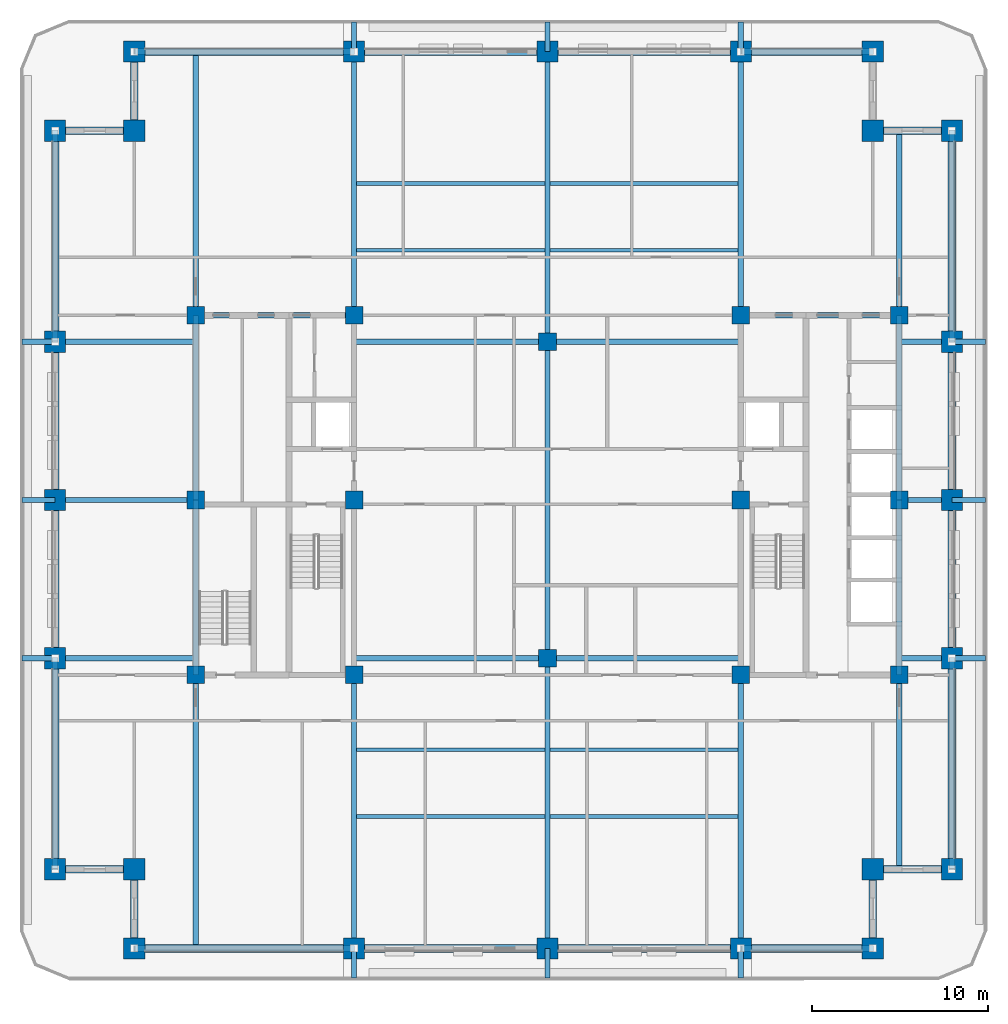
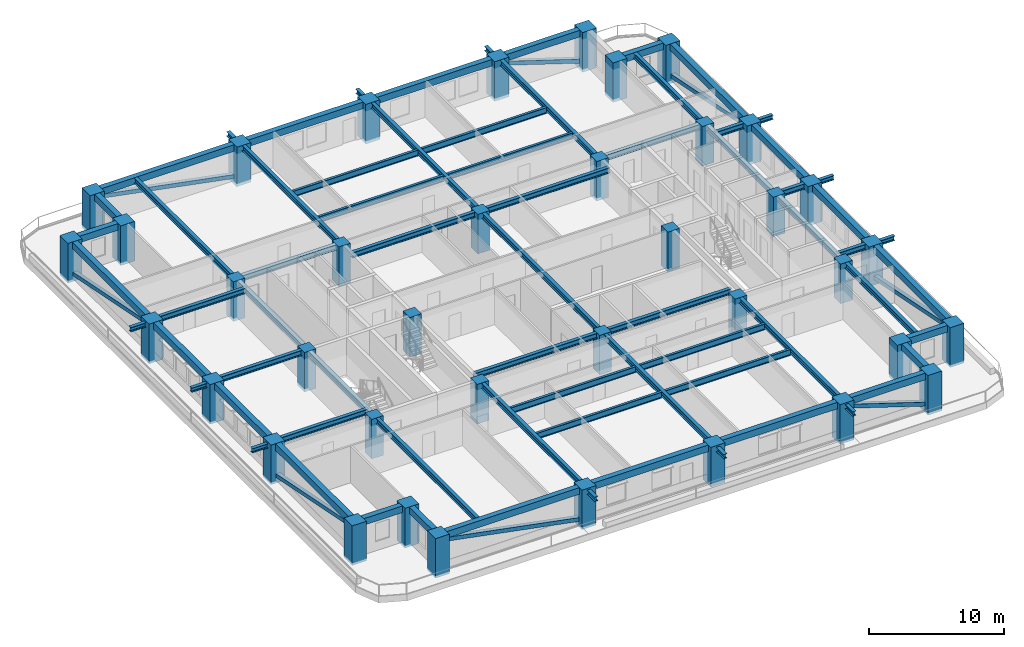
# One storey, part 1 of 16: 70 beams, 38 columns, 8 members.
"""IFC4 building model written with IfcOpenShell, lengths in metres."""

from ifc_helpers import new_model, si_unit, direction, frame, origin, origin_2d, place, context, subcontext, project, spatial, rectangle, hollow_rectangle, i_section, extrude, material, material_profile, profile_set, type_object, element, save


model = new_model("IFC4")

# Units and contexts
model_context = context("Model", 3, precision=1e-05, world=origin(), true_north=direction((0.0, 1.0)))
body_context = subcontext(model_context, "Body", "Model", "MODEL_VIEW")
ifc_project = project(units=[si_unit("LENGTHUNIT", "METRE"), si_unit("AREAUNIT", "SQUARE_METRE"), si_unit("VOLUMEUNIT", "CUBIC_METRE"), si_unit("PLANEANGLEUNIT", "RADIAN"), si_unit("MASSUNIT", "GRAM", prefix="KILO")], contexts=[model_context])

# Site, building, storey
site_placement = place(None, origin())
site = spatial("IfcSite", under=ifc_project, at=site_placement, CompositionType="ELEMENT")
building_placement = place(site_placement, origin())
building = spatial("IfcBuilding", under=site, at=building_placement, Name="Zulmaris Gate Convention Tower", CompositionType="ELEMENT")
storey_placement = place(building_placement, frame((0.0, 0.0, 124.919921875)))
storey = spatial("IfcBuildingStorey", under=building, at=storey_placement, Name="L31", CompositionType="ELEMENT", Elevation=124.919921875)

# Columns
ifc_material_1 = material(Name="Concrete C60/75", Category="concrete")
ifc_material_profile_1 = material_profile(ifc_material_1, rectangle(XDim=1.0, YDim=1.0, at=origin_2d()), Name="RC COL 1000x1000")
ifc_profile_set_1 = profile_set([ifc_material_profile_1], Name="Concrete C60/75")
column_type_1 = type_object("IfcColumnType", Name="COL-RC1000", PredefinedType="COLUMN", material=ifc_profile_set_1)
for number, where, z_axis, x_axis, name in (
    (1, (-20.0, -9.949951171875, -0.25), (0.0, 0.0, 1.0), (1.0, 0.0, 0.0), "L31 Column IN--20.00_-9.95"),
    (2, (-20.0, 10.5, -0.25), (0.0, 0.0, 1.0), (1.0, 0.0, 0.0), "L31 Column IN--20.00_+10.50"),
    (3, (-11.0, -9.949951171875, -0.25), (0.0, 0.0, 1.0), (1.0, 0.0, 0.0), "L31 Column IN--11.00_-9.95"),
    (4, (-11.0, 0.0, -0.25), (0.0, 0.0, 1.0), (1.0, 0.0, 0.0), "L31 Column IN--11.00_+0.00"),
    (5, (-11.0, 10.5, -0.25), (0.0, 0.0, 1.0), (1.0, 0.0, 0.0), "L31 Column IN--11.00_+10.50"),
    (6, (11.0, -9.949951171875, -0.25), (0.0, 0.0, 1.0), (1.0, 0.0, 0.0), "L31 Column IN-+11.00_-9.95"),
    (7, (11.0, 0.0, -0.25), (0.0, 0.0, 1.0), (1.0, 0.0, 0.0), "L31 Column IN-+11.00_+0.00"),
    (8, (11.0, 10.5, -0.25), (0.0, 0.0, 1.0), (1.0, 0.0, 0.0), "L31 Column IN-+11.00_+10.50"),
    (9, (20.0, -9.949951171875, -0.25), (0.0, 0.0, 1.0), (1.0, 0.0, 0.0), "L31 Column IN-+20.00_-9.95"),
    (10, (20.0, 10.5, -0.25), (0.0, 0.0, 1.0), (1.0, 0.0, 0.0), "L31 Column IN-+20.00_+10.50"),
    (11, (0.0, -9.0, -0.25), (0.0, 0.0, 1.0), (1.0, 0.0, 0.0), "L31 Column IN-+0.00_-9.00"),
    (12, (0.0, 9.0, -0.25), (0.0, 0.0, 1.0), (1.0, 0.0, 0.0), "L31 Column IN-+0.00_+9.00"),
    (13, (-20.0, 0.0, -0.25), (0.0, 0.0, 1.0), (1.0, 0.0, 0.0), "L31 Column IN--20.00_+0.00"),
    (14, (20.0, 0.0, -0.25), (0.0, 0.0, 1.0), (1.0, 0.0, 0.0), "L31 Column IN-+20.00_+0.00"),
):
    element("IfcColumn", number, at=place(storey_placement, frame(where, z_axis=z_axis, x_axis=x_axis)), inside=storey, type_object=column_type_1, Name=name, PredefinedType="COLUMN", context=body_context, shape_type="SweptSolid", body=[
        extrude(rectangle(XDim=1.0, YDim=1.0, at=origin_2d()), origin(), (0.0, 0.0, 1.0), 3.56982421875),
    ])
ifc_material_2 = material(Name="Concrete C70/85", Category="concrete")
ifc_material_profile_2 = material_profile(ifc_material_2, rectangle(XDim=1.199951171875, YDim=1.199951171875, at=origin_2d()), Name="RC COL 1200x1200")
ifc_profile_set_2 = profile_set([ifc_material_profile_2], Name="Concrete C70/85")
column_type_2 = type_object("IfcColumnType", Name="COL-RC1200", PredefinedType="COLUMN", material=ifc_profile_set_2)
for number, where, z_axis, x_axis, name in (
    (15, (-23.5, -25.5, -0.25), (0.0, 0.0, 1.0), (1.0, 0.0, 0.0), "L31 Column PT--23.50_-25.50"),
    (16, (-11.0, -25.5, -0.25), (0.0, 0.0, 1.0), (1.0, 0.0, 0.0), "L31 Column PT--11.00_-25.50"),
    (17, (0.0, -25.5, -0.25), (0.0, 0.0, 1.0), (1.0, 0.0, 0.0), "L31 Column PT-+0.00_-25.50"),
    (18, (11.0, -25.5, -0.25), (0.0, 0.0, 1.0), (1.0, 0.0, 0.0), "L31 Column PT-+11.00_-25.50"),
    (19, (18.5, -25.5, -0.25), (0.0, 0.0, 1.0), (1.0, 0.0, 0.0), "L31 Column PT-+18.50_-25.50"),
    (20, (-23.5, 25.5, -0.25), (0.0, 0.0, 1.0), (1.0, 0.0, 0.0), "L31 Column PT--23.50_+25.50"),
    (21, (-11.0, 25.5, -0.25), (0.0, 0.0, 1.0), (1.0, 0.0, 0.0), "L31 Column PT--11.00_+25.50"),
    (22, (0.0, 25.5, -0.25), (0.0, 0.0, 1.0), (1.0, 0.0, 0.0), "L31 Column PT-+0.00_+25.50"),
    (23, (11.0, 25.5, -0.25), (0.0, 0.0, 1.0), (1.0, 0.0, 0.0), "L31 Column PT-+11.00_+25.50"),
    (24, (18.5, 25.5, -0.25), (0.0, 0.0, 1.0), (1.0, 0.0, 0.0), "L31 Column PT-+18.50_+25.50"),
    (25, (-28.0, -21.0, -0.25), (0.0, 0.0, 1.0), (1.0, 0.0, 0.0), "L31 Column PT--28.00_-21.00"),
    (26, (-28.0, -9.0, -0.25), (0.0, 0.0, 1.0), (1.0, 0.0, 0.0), "L31 Column PT--28.00_-9.00"),
    (27, (-28.0, 0.0, -0.25), (0.0, 0.0, 1.0), (1.0, 0.0, 0.0), "L31 Column PT--28.00_+0.00"),
    (28, (-28.0, 9.0, -0.25), (0.0, 0.0, 1.0), (1.0, 0.0, 0.0), "L31 Column PT--28.00_+9.00"),
    (29, (-28.0, 21.0, -0.25), (0.0, 0.0, 1.0), (1.0, 0.0, 0.0), "L31 Column PT--28.00_+21.00"),
    (30, (23.0, -21.0, -0.25), (0.0, 0.0, 1.0), (1.0, 0.0, 0.0), "L31 Column PT-+23.00_-21.00"),
    (31, (23.0, -9.0, -0.25), (0.0, 0.0, 1.0), (1.0, 0.0, 0.0), "L31 Column PT-+23.00_-9.00"),
    (32, (23.0, 0.0, -0.25), (0.0, 0.0, 1.0), (1.0, 0.0, 0.0), "L31 Column PT-+23.00_+0.00"),
    (33, (23.0, 9.0, -0.25), (0.0, 0.0, 1.0), (1.0, 0.0, 0.0), "L31 Column PT-+23.00_+9.00"),
    (34, (23.0, 21.0, -0.25), (0.0, 0.0, 1.0), (1.0, 0.0, 0.0), "L31 Column PT-+23.00_+21.00"),
    (35, (-23.5, -21.0, -0.25), (0.0, 0.0, 1.0), (1.0, 0.0, 0.0), "L31 Column PT--23.50_-21.00"),
    (36, (18.5, -21.0, -0.25), (0.0, 0.0, 1.0), (1.0, 0.0, 0.0), "L31 Column PT-+18.50_-21.00"),
    (37, (18.5, 21.0, -0.25), (0.0, 0.0, 1.0), (1.0, 0.0, 0.0), "L31 Column PT-+18.50_+21.00"),
    (38, (-23.5, 21.0, -0.25), (0.0, 0.0, 1.0), (1.0, 0.0, 0.0), "L31 Column PT--23.50_+21.00"),
):
    element("IfcColumn", number, at=place(storey_placement, frame(where, z_axis=z_axis, x_axis=x_axis)), inside=storey, type_object=column_type_2, Name=name, PredefinedType="COLUMN", context=body_context, shape_type="SweptSolid", body=[
        extrude(rectangle(XDim=1.199951171875, YDim=1.199951171875, at=origin_2d()), origin(), (0.0, 0.0, 1.0), 3.56982421875),
    ])

# Beams
ifc_material_3 = material(Name="Steel S355", Category="steel")
ifc_material_profile_3 = material_profile(ifc_material_3, i_section(OverallWidth=0.300048828125, OverallDepth=0.39990234375, WebThickness=0.013427734375, FlangeThickness=0.02392578125, FilletRadius=0.027099609375, at=origin_2d()), Name="HEB 400")
ifc_profile_set_3 = profile_set([ifc_material_profile_3], Name="Steel S355")
beam_type_1 = type_object("IfcBeamType", Name="BM-HEB400", PredefinedType="BEAM", material=ifc_profile_set_3)
for number, where, z_axis, x_axis, name in (
    (39, (-11.0, -27.199951171875, 2.979736328125), (0.0, 1.0, 0.0), (-1.0, 0.0, 0.0), "L31 Beam TBRK-L31-S--11"),
    (40, (-11.0, 25.5, 2.979736328125), (0.0, 1.0, 0.0), (-1.0, 0.0, 0.0), "L31 Beam TBRK-L31-N--11"),
    (41, (0.0, -27.199951171875, 2.979736328125), (0.0, 1.0, 0.0), (-1.0, 0.0, 0.0), "L31 Beam TBRK-L31-S-+0"),
    (42, (0.0, 25.5, 2.979736328125), (0.0, 1.0, 0.0), (-1.0, 0.0, 0.0), "L31 Beam TBRK-L31-N-+0"),
    (43, (11.0, -27.199951171875, 2.979736328125), (0.0, 1.0, 0.0), (-1.0, 0.0, 0.0), "L31 Beam TBRK-L31-S-+11"),
    (44, (11.0, 25.5, 2.979736328125), (0.0, 1.0, 0.0), (-1.0, 0.0, 0.0), "L31 Beam TBRK-L31-N-+11"),
):
    element("IfcBeam", number, at=place(storey_placement, frame(where, z_axis=z_axis, x_axis=x_axis)), inside=storey, type_object=beam_type_1, Name=name, PredefinedType="BEAM", context=body_context, shape_type="SweptSolid", body=[
        extrude(i_section(OverallWidth=0.300048828125, OverallDepth=0.39990234375, WebThickness=0.013427734375, FlangeThickness=0.02392578125, FilletRadius=0.027099609375, at=origin_2d()), origin(), (0.0, 0.0, 1.0), 1.699951171875),
    ])
for number, where, z_axis, x_axis, name in (
    (45, (-29.89990234375, -9.0, 2.979736328125), (1.0, 0.0, 0.0), (0.0, 1.0, 0.0), "L31 Beam TBRK-L31-W--9"),
    (46, (23.0, -9.0, 2.979736328125), (1.0, 0.0, 0.0), (0.0, 1.0, 0.0), "L31 Beam TBRK-L31-E--9"),
    (47, (-29.89990234375, 0.0, 2.979736328125), (1.0, 0.0, 0.0), (0.0, 1.0, 0.0), "L31 Beam TBRK-L31-W-+0"),
    (48, (23.0, 0.0, 2.979736328125), (1.0, 0.0, 0.0), (0.0, 1.0, 0.0), "L31 Beam TBRK-L31-E-+0"),
    (49, (-29.89990234375, 9.0, 2.979736328125), (1.0, 0.0, 0.0), (0.0, 1.0, 0.0), "L31 Beam TBRK-L31-W-+9"),
    (50, (23.0, 9.0, 2.979736328125), (1.0, 0.0, 0.0), (0.0, 1.0, 0.0), "L31 Beam TBRK-L31-E-+9"),
):
    element("IfcBeam", number, at=place(storey_placement, frame(where, z_axis=z_axis, x_axis=x_axis)), inside=storey, type_object=beam_type_1, Name=name, PredefinedType="BEAM", context=body_context, shape_type="SweptSolid", body=[
        extrude(i_section(OverallWidth=0.300048828125, OverallDepth=0.39990234375, WebThickness=0.013427734375, FlangeThickness=0.02392578125, FilletRadius=0.027099609375, at=origin_2d()), origin(), (0.0, 0.0, 1.0), 1.89990234375),
    ])
ifc_material_profile_4 = material_profile(ifc_material_3, i_section(OverallWidth=0.300048828125, OverallDepth=0.5, WebThickness=0.014404296875, FlangeThickness=0.028076171875, FilletRadius=0.027099609375, at=origin_2d()), Name="HEB 500")
ifc_profile_set_4 = profile_set([ifc_material_profile_4], Name="Steel S355")
beam_type_2 = type_object("IfcBeamType", Name="BM-HEB500", PredefinedType="BEAM", material=ifc_profile_set_4)
for number, where, z_axis, x_axis, name in (
    (51, (-11.0, -9.0, 3.06787109375), (1.0, 0.0, 0.0), (0.0, 1.0, 0.0), "L31 Beam BM-L31-G01"),
    (52, (0.0, -9.0, 3.06787109375), (1.0, 0.0, 0.0), (0.0, 1.0, 0.0), "L31 Beam BM-L31-G02"),
    (53, (-11.0, 9.0, 3.06787109375), (1.0, 0.0, 0.0), (0.0, 1.0, 0.0), "L31 Beam BM-L31-G03"),
    (54, (0.0, 9.0, 3.06787109375), (1.0, 0.0, 0.0), (0.0, 1.0, 0.0), "L31 Beam BM-L31-G04"),
):
    element("IfcBeam", number, at=place(storey_placement, frame(where, z_axis=z_axis, x_axis=x_axis)), inside=storey, type_object=beam_type_2, Name=name, PredefinedType="BEAM", context=body_context, shape_type="SweptSolid", body=[
        extrude(i_section(OverallWidth=0.300048828125, OverallDepth=0.5, WebThickness=0.014404296875, FlangeThickness=0.028076171875, FilletRadius=0.027099609375, at=origin_2d()), origin(), (0.0, 0.0, 1.0), 11.0),
    ])
beam_1_placement = place(storey_placement, frame((0.0, -25.5, 3.06787109375), z_axis=(0.0, 1.0, 0.0), x_axis=(-1.0, 0.0, 0.0)))
element("IfcBeam", 55, at=beam_1_placement, inside=storey, type_object=beam_type_2, Name="L31 Beam BM-L31-G05", PredefinedType="BEAM", context=body_context, shape_type="SweptSolid", body=[
    extrude(i_section(OverallWidth=0.300048828125, OverallDepth=0.5, WebThickness=0.014404296875, FlangeThickness=0.028076171875, FilletRadius=0.027099609375, at=origin_2d()), origin(), (0.0, 0.0, 1.0), 16.5),
])
beam_2_placement = place(storey_placement, frame((0.0, -9.0, 3.06787109375), z_axis=(0.0, 1.0, 0.0), x_axis=(-1.0, 0.0, 0.0)))
element("IfcBeam", 56, at=beam_2_placement, inside=storey, type_object=beam_type_2, Name="L31 Beam BM-L31-G06", PredefinedType="BEAM", context=body_context, shape_type="SweptSolid", body=[
    extrude(i_section(OverallWidth=0.300048828125, OverallDepth=0.5, WebThickness=0.014404296875, FlangeThickness=0.028076171875, FilletRadius=0.027099609375, at=origin_2d()), origin(), (0.0, 0.0, 1.0), 18.0),
])
beam_3_placement = place(storey_placement, frame((0.0, 9.0, 3.06787109375), z_axis=(0.0, 1.0, 0.0), x_axis=(-1.0, 0.0, 0.0)))
element("IfcBeam", 57, at=beam_3_placement, inside=storey, type_object=beam_type_2, Name="L31 Beam BM-L31-G07", PredefinedType="BEAM", context=body_context, shape_type="SweptSolid", body=[
    extrude(i_section(OverallWidth=0.300048828125, OverallDepth=0.5, WebThickness=0.014404296875, FlangeThickness=0.028076171875, FilletRadius=0.027099609375, at=origin_2d()), origin(), (0.0, 0.0, 1.0), 16.5),
])
beam_4_placement = place(storey_placement, frame((-11.0, -25.5, 3.06787109375), z_axis=(0.0, 1.0, 0.0), x_axis=(-1.0, 0.0, 0.0)))
element("IfcBeam", 58, at=beam_4_placement, inside=storey, type_object=beam_type_2, Name="L31 Beam BM-L31-G08", PredefinedType="BEAM", context=body_context, shape_type="SweptSolid", body=[
    extrude(i_section(OverallWidth=0.300048828125, OverallDepth=0.5, WebThickness=0.014404296875, FlangeThickness=0.028076171875, FilletRadius=0.027099609375, at=origin_2d()), origin(), (0.0, 0.0, 1.0), 15.550048828125),
])
beam_5_placement = place(storey_placement, frame((-11.0, 10.5, 3.06787109375), z_axis=(0.0, 1.0, 0.0), x_axis=(-1.0, 0.0, 0.0)))
element("IfcBeam", 59, at=beam_5_placement, inside=storey, type_object=beam_type_2, Name="L31 Beam BM-L31-G09", PredefinedType="BEAM", context=body_context, shape_type="SweptSolid", body=[
    extrude(i_section(OverallWidth=0.300048828125, OverallDepth=0.5, WebThickness=0.014404296875, FlangeThickness=0.028076171875, FilletRadius=0.027099609375, at=origin_2d()), origin(), (0.0, 0.0, 1.0), 15.0),
])
beam_6_placement = place(storey_placement, frame((11.0, -25.5, 3.06787109375), z_axis=(0.0, 1.0, 0.0), x_axis=(-1.0, 0.0, 0.0)))
element("IfcBeam", 60, at=beam_6_placement, inside=storey, type_object=beam_type_2, Name="L31 Beam BM-L31-G10", PredefinedType="BEAM", context=body_context, shape_type="SweptSolid", body=[
    extrude(i_section(OverallWidth=0.300048828125, OverallDepth=0.5, WebThickness=0.014404296875, FlangeThickness=0.028076171875, FilletRadius=0.027099609375, at=origin_2d()), origin(), (0.0, 0.0, 1.0), 15.550048828125),
])
beam_7_placement = place(storey_placement, frame((11.0, 10.5, 3.06787109375), z_axis=(0.0, 1.0, 0.0), x_axis=(-1.0, 0.0, 0.0)))
element("IfcBeam", 61, at=beam_7_placement, inside=storey, type_object=beam_type_2, Name="L31 Beam BM-L31-G11", PredefinedType="BEAM", context=body_context, shape_type="SweptSolid", body=[
    extrude(i_section(OverallWidth=0.300048828125, OverallDepth=0.5, WebThickness=0.014404296875, FlangeThickness=0.028076171875, FilletRadius=0.027099609375, at=origin_2d()), origin(), (0.0, 0.0, 1.0), 15.0),
])
beam_8_placement = place(storey_placement, frame((-20.0, -25.5, 3.06787109375), z_axis=(0.0, 1.0, 0.0), x_axis=(-1.0, 0.0, 0.0)))
element("IfcBeam", 62, at=beam_8_placement, inside=storey, type_object=beam_type_2, Name="L31 Beam BM-L31-G12", PredefinedType="BEAM", context=body_context, shape_type="SweptSolid", body=[
    extrude(i_section(OverallWidth=0.300048828125, OverallDepth=0.5, WebThickness=0.014404296875, FlangeThickness=0.028076171875, FilletRadius=0.027099609375, at=origin_2d()), origin(), (0.0, 0.0, 1.0), 15.550048828125),
])
beam_9_placement = place(storey_placement, frame((-20.0, 10.5, 3.06787109375), z_axis=(0.0, 1.0, 0.0), x_axis=(-1.0, 0.0, 0.0)))
element("IfcBeam", 63, at=beam_9_placement, inside=storey, type_object=beam_type_2, Name="L31 Beam BM-L31-G13", PredefinedType="BEAM", context=body_context, shape_type="SweptSolid", body=[
    extrude(i_section(OverallWidth=0.300048828125, OverallDepth=0.5, WebThickness=0.014404296875, FlangeThickness=0.028076171875, FilletRadius=0.027099609375, at=origin_2d()), origin(), (0.0, 0.0, 1.0), 15.0),
])
beam_10_placement = place(storey_placement, frame((20.0, -21.0, 3.06787109375), z_axis=(0.0, 1.0, 0.0), x_axis=(-1.0, 0.0, 0.0)))
element("IfcBeam", 64, at=beam_10_placement, inside=storey, type_object=beam_type_2, Name="L31 Beam BM-L31-G14", PredefinedType="BEAM", context=body_context, shape_type="SweptSolid", body=[
    extrude(i_section(OverallWidth=0.300048828125, OverallDepth=0.5, WebThickness=0.014404296875, FlangeThickness=0.028076171875, FilletRadius=0.027099609375, at=origin_2d()), origin(), (0.0, 0.0, 1.0), 11.050048828125),
])
beam_11_placement = place(storey_placement, frame((20.0, 10.5, 3.06787109375), z_axis=(0.0, 1.0, 0.0), x_axis=(-1.0, 0.0, 0.0)))
element("IfcBeam", 65, at=beam_11_placement, inside=storey, type_object=beam_type_2, Name="L31 Beam BM-L31-G15", PredefinedType="BEAM", context=body_context, shape_type="SweptSolid", body=[
    extrude(i_section(OverallWidth=0.300048828125, OverallDepth=0.5, WebThickness=0.014404296875, FlangeThickness=0.028076171875, FilletRadius=0.027099609375, at=origin_2d()), origin(), (0.0, 0.0, 1.0), 10.5),
])
for number, where, z_axis, x_axis, name in (
    (66, (-28.0, -9.0, 3.06787109375), (1.0, 0.0, 0.0), (0.0, 1.0, 0.0), "L31 Beam BM-L31-G16"),
    (67, (-28.0, 0.0, 3.06787109375), (1.0, 0.0, 0.0), (0.0, 1.0, 0.0), "L31 Beam BM-L31-G17"),
    (68, (-28.0, 9.0, 3.06787109375), (1.0, 0.0, 0.0), (0.0, 1.0, 0.0), "L31 Beam BM-L31-G18"),
):
    element("IfcBeam", number, at=place(storey_placement, frame(where, z_axis=z_axis, x_axis=x_axis)), inside=storey, type_object=beam_type_2, Name=name, PredefinedType="BEAM", context=body_context, shape_type="SweptSolid", body=[
        extrude(i_section(OverallWidth=0.300048828125, OverallDepth=0.5, WebThickness=0.014404296875, FlangeThickness=0.028076171875, FilletRadius=0.027099609375, at=origin_2d()), origin(), (0.0, 0.0, 1.0), 8.0),
    ])
for number, where, z_axis, x_axis, name in (
    (69, (20.0, -9.0, 3.06787109375), (1.0, 0.0, 0.0), (0.0, 1.0, 0.0), "L31 Beam BM-L31-G19"),
    (70, (20.0, 0.0, 3.06787109375), (1.0, 0.0, 0.0), (0.0, 1.0, 0.0), "L31 Beam BM-L31-G20"),
    (71, (20.0, 9.0, 3.06787109375), (1.0, 0.0, 0.0), (0.0, 1.0, 0.0), "L31 Beam BM-L31-G21"),
):
    element("IfcBeam", number, at=place(storey_placement, frame(where, z_axis=z_axis, x_axis=x_axis)), inside=storey, type_object=beam_type_2, Name=name, PredefinedType="BEAM", context=body_context, shape_type="SweptSolid", body=[
        extrude(i_section(OverallWidth=0.300048828125, OverallDepth=0.5, WebThickness=0.014404296875, FlangeThickness=0.028076171875, FilletRadius=0.027099609375, at=origin_2d()), origin(), (0.0, 0.0, 1.0), 3.0),
    ])
for number, where, z_axis, x_axis, name in (
    (72, (-20.0, 10.5, 3.06787109375), (1.0, 0.0, 0.0), (0.0, 1.0, 0.0), "L31 Beam BM-L31-G23"),
    (73, (11.0, 10.5, 3.06787109375), (1.0, 0.0, 0.0), (0.0, 1.0, 0.0), "L31 Beam BM-L31-G25"),
):
    element("IfcBeam", number, at=place(storey_placement, frame(where, z_axis=z_axis, x_axis=x_axis)), inside=storey, type_object=beam_type_2, Name=name, PredefinedType="BEAM", context=body_context, shape_type="SweptSolid", body=[
        extrude(i_section(OverallWidth=0.300048828125, OverallDepth=0.5, WebThickness=0.014404296875, FlangeThickness=0.028076171875, FilletRadius=0.027099609375, at=origin_2d()), origin(), (0.0, 0.0, 1.0), 9.0),
    ])
beam_12_placement = place(storey_placement, frame((-20.0, -9.949951171875, 3.06787109375), z_axis=(0.0, 1.0, 0.0), x_axis=(-1.0, 0.0, 0.0)))
element("IfcBeam", 74, at=beam_12_placement, inside=storey, type_object=beam_type_2, Name="L31 Beam BM-L31-G26", PredefinedType="BEAM", context=body_context, shape_type="SweptSolid", body=[
    extrude(i_section(OverallWidth=0.300048828125, OverallDepth=0.5, WebThickness=0.014404296875, FlangeThickness=0.028076171875, FilletRadius=0.027099609375, at=origin_2d()), origin(), (0.0, 0.0, 1.0), 9.949951171875),
])
beam_13_placement = place(storey_placement, frame((-20.0, 0.0, 3.06787109375), z_axis=(0.0, 1.0, 0.0), x_axis=(-1.0, 0.0, 0.0)))
element("IfcBeam", 75, at=beam_13_placement, inside=storey, type_object=beam_type_2, Name="L31 Beam BM-L31-G27", PredefinedType="BEAM", context=body_context, shape_type="SweptSolid", body=[
    extrude(i_section(OverallWidth=0.300048828125, OverallDepth=0.5, WebThickness=0.014404296875, FlangeThickness=0.028076171875, FilletRadius=0.027099609375, at=origin_2d()), origin(), (0.0, 0.0, 1.0), 10.5),
])
beam_14_placement = place(storey_placement, frame((20.0, -9.949951171875, 3.06787109375), z_axis=(0.0, 1.0, 0.0), x_axis=(-1.0, 0.0, 0.0)))
element("IfcBeam", 76, at=beam_14_placement, inside=storey, type_object=beam_type_2, Name="L31 Beam BM-L31-G28", PredefinedType="BEAM", context=body_context, shape_type="SweptSolid", body=[
    extrude(i_section(OverallWidth=0.300048828125, OverallDepth=0.5, WebThickness=0.014404296875, FlangeThickness=0.028076171875, FilletRadius=0.027099609375, at=origin_2d()), origin(), (0.0, 0.0, 1.0), 9.949951171875),
])
beam_15_placement = place(storey_placement, frame((20.0, 0.0, 3.06787109375), z_axis=(0.0, 1.0, 0.0), x_axis=(-1.0, 0.0, 0.0)))
element("IfcBeam", 77, at=beam_15_placement, inside=storey, type_object=beam_type_2, Name="L31 Beam BM-L31-G29", PredefinedType="BEAM", context=body_context, shape_type="SweptSolid", body=[
    extrude(i_section(OverallWidth=0.300048828125, OverallDepth=0.5, WebThickness=0.014404296875, FlangeThickness=0.028076171875, FilletRadius=0.027099609375, at=origin_2d()), origin(), (0.0, 0.0, 1.0), 10.5),
])
ifc_material_4 = material(Name="Precast concrete C50/60", Category="concrete")
ifc_material_profile_5 = material_profile(ifc_material_4, rectangle(XDim=0.449951171875, YDim=0.60009765625, at=origin_2d()), Name="RC SPANDREL 450x600")
ifc_profile_set_5 = profile_set([ifc_material_profile_5], Name="Precast concrete C50/60")
beam_type_3 = type_object("IfcBeamType", Name="BM-SP450x600", PredefinedType="SPANDREL", material=ifc_profile_set_5)
beam_16_placement = place(storey_placement, frame((-23.5, -25.5, 3.019775390625), z_axis=(1.0, 0.0, 0.0), x_axis=(0.0, 1.0, 0.0)))
element("IfcBeam", 78, at=beam_16_placement, inside=storey, type_object=beam_type_3, Name="L31 Spandrel SP-L31-01", PredefinedType="SPANDREL", context=body_context, shape_type="SweptSolid", body=[
    extrude(rectangle(XDim=0.449951171875, YDim=0.60009765625, at=origin_2d()), origin(), (0.0, 0.0, 1.0), 12.5),
])
for number, where, z_axis, x_axis, name in (
    (79, (-11.0, -25.5, 3.019775390625), (1.0, 0.0, 0.0), (0.0, 1.0, 0.0), "L31 Spandrel SP-L31-02"),
    (80, (0.0, -25.5, 3.019775390625), (1.0, 0.0, 0.0), (0.0, 1.0, 0.0), "L31 Spandrel SP-L31-03"),
):
    element("IfcBeam", number, at=place(storey_placement, frame(where, z_axis=z_axis, x_axis=x_axis)), inside=storey, type_object=beam_type_3, Name=name, PredefinedType="SPANDREL", context=body_context, shape_type="SweptSolid", body=[
        extrude(rectangle(XDim=0.449951171875, YDim=0.60009765625, at=origin_2d()), origin(), (0.0, 0.0, 1.0), 11.0),
    ])
beam_17_placement = place(storey_placement, frame((11.0, -25.5, 3.019775390625), z_axis=(1.0, 0.0, 0.0), x_axis=(0.0, 1.0, 0.0)))
element("IfcBeam", 81, at=beam_17_placement, inside=storey, type_object=beam_type_3, Name="L31 Spandrel SP-L31-04", PredefinedType="SPANDREL", context=body_context, shape_type="SweptSolid", body=[
    extrude(rectangle(XDim=0.449951171875, YDim=0.60009765625, at=origin_2d()), origin(), (0.0, 0.0, 1.0), 7.5),
])
for number, where, z_axis, x_axis, name in (
    (82, (18.5, -25.5, 3.019775390625), (0.0, 1.0, 0.0), (-1.0, 0.0, 0.0), "L31 Spandrel SP-L31-05"),
    (83, (18.5, -21.0, 3.019775390625), (1.0, 0.0, 0.0), (0.0, 1.0, 0.0), "L31 Spandrel SP-L31-06"),
):
    element("IfcBeam", number, at=place(storey_placement, frame(where, z_axis=z_axis, x_axis=x_axis)), inside=storey, type_object=beam_type_3, Name=name, PredefinedType="SPANDREL", context=body_context, shape_type="SweptSolid", body=[
        extrude(rectangle(XDim=0.449951171875, YDim=0.60009765625, at=origin_2d()), origin(), (0.0, 0.0, 1.0), 4.5),
    ])
beam_18_placement = place(storey_placement, frame((23.0, -21.0, 3.019775390625), z_axis=(0.0, 1.0, 0.0), x_axis=(-1.0, 0.0, 0.0)))
element("IfcBeam", 84, at=beam_18_placement, inside=storey, type_object=beam_type_3, Name="L31 Spandrel SP-L31-07", PredefinedType="SPANDREL", context=body_context, shape_type="SweptSolid", body=[
    extrude(rectangle(XDim=0.449951171875, YDim=0.60009765625, at=origin_2d()), origin(), (0.0, 0.0, 1.0), 12.0),
])
for number, where, z_axis, x_axis, name in (
    (85, (23.0, -9.0, 3.019775390625), (0.0, 1.0, 0.0), (-1.0, 0.0, 0.0), "L31 Spandrel SP-L31-08"),
    (86, (23.0, 0.0, 3.019775390625), (0.0, 1.0, 0.0), (-1.0, 0.0, 0.0), "L31 Spandrel SP-L31-09"),
):
    element("IfcBeam", number, at=place(storey_placement, frame(where, z_axis=z_axis, x_axis=x_axis)), inside=storey, type_object=beam_type_3, Name=name, PredefinedType="SPANDREL", context=body_context, shape_type="SweptSolid", body=[
        extrude(rectangle(XDim=0.449951171875, YDim=0.60009765625, at=origin_2d()), origin(), (0.0, 0.0, 1.0), 9.0),
    ])
beam_19_placement = place(storey_placement, frame((23.0, 9.0, 3.019775390625), z_axis=(0.0, 1.0, 0.0), x_axis=(-1.0, 0.0, 0.0)))
element("IfcBeam", 87, at=beam_19_placement, inside=storey, type_object=beam_type_3, Name="L31 Spandrel SP-L31-10", PredefinedType="SPANDREL", context=body_context, shape_type="SweptSolid", body=[
    extrude(rectangle(XDim=0.449951171875, YDim=0.60009765625, at=origin_2d()), origin(), (0.0, 0.0, 1.0), 12.0),
])
beam_20_placement = place(storey_placement, frame((23.0, 21.0, 3.019775390625), z_axis=(-1.0, 0.0, 0.0), x_axis=(0.0, -1.0, 0.0)))
element("IfcBeam", 88, at=beam_20_placement, inside=storey, type_object=beam_type_3, Name="L31 Spandrel SP-L31-11", PredefinedType="SPANDREL", context=body_context, shape_type="SweptSolid", body=[
    extrude(rectangle(XDim=0.449951171875, YDim=0.60009765625, at=origin_2d()), origin(), (0.0, 0.0, 1.0), 4.5),
])
beam_21_placement = place(storey_placement, frame((18.5, 25.5, 3.019775390625), z_axis=(-1.0, 0.0, 0.0), x_axis=(0.0, -1.0, 0.0)))
element("IfcBeam", 89, at=beam_21_placement, inside=storey, type_object=beam_type_3, Name="L31 Spandrel SP-L31-13", PredefinedType="SPANDREL", context=body_context, shape_type="SweptSolid", body=[
    extrude(rectangle(XDim=0.449951171875, YDim=0.60009765625, at=origin_2d()), origin(), (0.0, 0.0, 1.0), 7.5),
])
for number, where, z_axis, x_axis, name in (
    (90, (11.0, 25.5, 3.019775390625), (-1.0, 0.0, 0.0), (0.0, -1.0, 0.0), "L31 Spandrel SP-L31-14"),
    (91, (0.0, 25.5, 3.019775390625), (-1.0, 0.0, 0.0), (0.0, -1.0, 0.0), "L31 Spandrel SP-L31-15"),
):
    element("IfcBeam", number, at=place(storey_placement, frame(where, z_axis=z_axis, x_axis=x_axis)), inside=storey, type_object=beam_type_3, Name=name, PredefinedType="SPANDREL", context=body_context, shape_type="SweptSolid", body=[
        extrude(rectangle(XDim=0.449951171875, YDim=0.60009765625, at=origin_2d()), origin(), (0.0, 0.0, 1.0), 11.0),
    ])
beam_22_placement = place(storey_placement, frame((-11.0, 25.5, 3.019775390625), z_axis=(-1.0, 0.0, 0.0), x_axis=(0.0, -1.0, 0.0)))
element("IfcBeam", 92, at=beam_22_placement, inside=storey, type_object=beam_type_3, Name="L31 Spandrel SP-L31-16", PredefinedType="SPANDREL", context=body_context, shape_type="SweptSolid", body=[
    extrude(rectangle(XDim=0.449951171875, YDim=0.60009765625, at=origin_2d()), origin(), (0.0, 0.0, 1.0), 12.5),
])
for number, where, z_axis, x_axis, name in (
    (93, (-23.5, 25.5, 3.019775390625), (0.0, -1.0, 0.0), (1.0, 0.0, 0.0), "L31 Spandrel SP-L31-17"),
    (94, (-23.5, 21.0, 3.019775390625), (-1.0, 0.0, 0.0), (0.0, -1.0, 0.0), "L31 Spandrel SP-L31-18"),
):
    element("IfcBeam", number, at=place(storey_placement, frame(where, z_axis=z_axis, x_axis=x_axis)), inside=storey, type_object=beam_type_3, Name=name, PredefinedType="SPANDREL", context=body_context, shape_type="SweptSolid", body=[
        extrude(rectangle(XDim=0.449951171875, YDim=0.60009765625, at=origin_2d()), origin(), (0.0, 0.0, 1.0), 4.5),
    ])
beam_23_placement = place(storey_placement, frame((-28.0, 21.0, 3.019775390625), z_axis=(0.0, -1.0, 0.0), x_axis=(1.0, 0.0, 0.0)))
element("IfcBeam", 95, at=beam_23_placement, inside=storey, type_object=beam_type_3, Name="L31 Spandrel SP-L31-19", PredefinedType="SPANDREL", context=body_context, shape_type="SweptSolid", body=[
    extrude(rectangle(XDim=0.449951171875, YDim=0.60009765625, at=origin_2d()), origin(), (0.0, 0.0, 1.0), 12.0),
])
for number, where, z_axis, x_axis, name in (
    (96, (-28.0, 9.0, 3.019775390625), (0.0, -1.0, 0.0), (1.0, 0.0, 0.0), "L31 Spandrel SP-L31-20"),
    (97, (-28.0, 0.0, 3.019775390625), (0.0, -1.0, 0.0), (1.0, 0.0, 0.0), "L31 Spandrel SP-L31-21"),
):
    element("IfcBeam", number, at=place(storey_placement, frame(where, z_axis=z_axis, x_axis=x_axis)), inside=storey, type_object=beam_type_3, Name=name, PredefinedType="SPANDREL", context=body_context, shape_type="SweptSolid", body=[
        extrude(rectangle(XDim=0.449951171875, YDim=0.60009765625, at=origin_2d()), origin(), (0.0, 0.0, 1.0), 9.0),
    ])
beam_24_placement = place(storey_placement, frame((-28.0, -9.0, 3.019775390625), z_axis=(0.0, -1.0, 0.0), x_axis=(1.0, 0.0, 0.0)))
element("IfcBeam", 98, at=beam_24_placement, inside=storey, type_object=beam_type_3, Name="L31 Spandrel SP-L31-22", PredefinedType="SPANDREL", context=body_context, shape_type="SweptSolid", body=[
    extrude(rectangle(XDim=0.449951171875, YDim=0.60009765625, at=origin_2d()), origin(), (0.0, 0.0, 1.0), 12.0),
])
for number, where, z_axis, x_axis, name in (
    (99, (-28.0, -21.0, 3.019775390625), (1.0, 0.0, 0.0), (0.0, 1.0, 0.0), "L31 Spandrel SP-L31-23"),
    (100, (-23.5, -21.0, 3.019775390625), (0.0, -1.0, 0.0), (1.0, 0.0, 0.0), "L31 Spandrel SP-L31-24"),
):
    element("IfcBeam", number, at=place(storey_placement, frame(where, z_axis=z_axis, x_axis=x_axis)), inside=storey, type_object=beam_type_3, Name=name, PredefinedType="SPANDREL", context=body_context, shape_type="SweptSolid", body=[
        extrude(rectangle(XDim=0.449951171875, YDim=0.60009765625, at=origin_2d()), origin(), (0.0, 0.0, 1.0), 4.5),
    ])

# Members
ifc_material_5 = material(Name="Steel S460", Category="steel")
ifc_material_profile_6 = material_profile(ifc_material_5, hollow_rectangle(XDim=0.35009765625, YDim=0.35009765625, WallThickness=0.01611328125, at=origin_2d()), Name="SHS 350x350x16")
ifc_profile_set_6 = profile_set([ifc_material_profile_6], Name="Steel S460")
member_type = type_object("IfcMemberType", Name="BR-SHS350", PredefinedType="BRACE", material=ifc_profile_set_6)
for number, where, z_axis, x_axis, name in (
    (101, (-28.0, -9.0, 0.300048828125), (0.0, -0.980586046497, 0.196089279196), (1.0, 0.0, 0.0), "L31 Perimeter Tube Diagonal SW-W"),
    (102, (-28.0, 21.0, 0.300048828125), (0.0, -0.980586046497, 0.196089279196), (1.0, 0.0, 0.0), "L31 Perimeter Tube Diagonal NW-W"),
    (103, (23.0, -9.0, 0.300048828125), (0.0, -0.980586046497, 0.196089279196), (1.0, 0.0, 0.0), "L31 Perimeter Tube Diagonal SE-E"),
    (104, (23.0, 21.0, 0.300048828125), (0.0, -0.980586046497, 0.196089279196), (1.0, 0.0, 0.0), "L31 Perimeter Tube Diagonal NE-E"),
):
    element("IfcMember", number, at=place(storey_placement, frame(where, z_axis=z_axis, x_axis=x_axis)), inside=storey, type_object=member_type, Name=name, PredefinedType="BRACE", context=body_context, shape_type="SweptSolid", body=[
        extrude(hollow_rectangle(XDim=0.35009765625, YDim=0.35009765625, WallThickness=0.01611328125, at=origin_2d()), origin(), (0.0, 0.0, 1.0), 12.237548828125),
    ])
member_1_placement = place(storey_placement, frame((-11.0, -25.5, 0.300048828125), z_axis=(-0.982067413751, 0.0, 0.188530090034), x_axis=(0.0, -1.0, 0.0)))
element("IfcMember", 105, at=member_1_placement, inside=storey, type_object=member_type, Name="L31 Perimeter Tube Diagonal SW-S", PredefinedType="BRACE", context=body_context, shape_type="SweptSolid", body=[
    extrude(hollow_rectangle(XDim=0.35009765625, YDim=0.35009765625, WallThickness=0.01611328125, at=origin_2d()), origin(), (0.0, 0.0, 1.0), 12.728271484375),
])
member_2_placement = place(storey_placement, frame((18.5, -25.5, 0.300048828125), z_axis=(-0.952436745898, 0.0, 0.304736353367), x_axis=(0.0, -1.0, 0.0)))
element("IfcMember", 106, at=member_2_placement, inside=storey, type_object=member_type, Name="L31 Perimeter Tube Diagonal SE-S", PredefinedType="BRACE", context=body_context, shape_type="SweptSolid", body=[
    extrude(hollow_rectangle(XDim=0.35009765625, YDim=0.35009765625, WallThickness=0.01611328125, at=origin_2d()), origin(), (0.0, 0.0, 1.0), 7.87451171875),
])
member_3_placement = place(storey_placement, frame((-11.0, 25.5, 0.300048828125), z_axis=(-0.982067413751, 0.0, 0.188530090034), x_axis=(0.0, -1.0, 0.0)))
element("IfcMember", 107, at=member_3_placement, inside=storey, type_object=member_type, Name="L31 Perimeter Tube Diagonal NW-N", PredefinedType="BRACE", context=body_context, shape_type="SweptSolid", body=[
    extrude(hollow_rectangle(XDim=0.35009765625, YDim=0.35009765625, WallThickness=0.01611328125, at=origin_2d()), origin(), (0.0, 0.0, 1.0), 12.728271484375),
])
member_4_placement = place(storey_placement, frame((18.5, 25.5, 0.300048828125), z_axis=(-0.952436745898, 0.0, 0.304736353367), x_axis=(0.0, -1.0, 0.0)))
element("IfcMember", 108, at=member_4_placement, inside=storey, type_object=member_type, Name="L31 Perimeter Tube Diagonal NE-N", PredefinedType="BRACE", context=body_context, shape_type="SweptSolid", body=[
    extrude(hollow_rectangle(XDim=0.35009765625, YDim=0.35009765625, WallThickness=0.01611328125, at=origin_2d()), origin(), (0.0, 0.0, 1.0), 7.87451171875),
])

# Beams
ifc_material_profile_7 = material_profile(ifc_material_3, i_section(OverallWidth=0.2099609375, OverallDepth=0.550048828125, WebThickness=0.010986328125, FlangeThickness=0.01708984375, FilletRadius=0.02392578125, at=origin_2d()), Name="IPE 550")
ifc_profile_set_7 = profile_set([ifc_material_profile_7], Name="Steel S355")
beam_type_4 = type_object("IfcBeamType", Name="JT-IPE550", PredefinedType="JOIST", material=ifc_profile_set_7)
for number, where, z_axis, x_axis, name in (
    (109, (-10.85009765625, -18.0, 3.042724609375), (1.0, 0.0, 0.0), (0.0, 1.0, 0.0), "L31 Joist JT-L31-CW--18.0"),
    (110, (0.14990234375, -18.0, 3.042724609375), (1.0, 0.0, 0.0), (0.0, 1.0, 0.0), "L31 Joist JT-L31-CE--18.0"),
    (111, (-10.85009765625, -14.199951171875, 3.042724609375), (1.0, 0.0, 0.0), (0.0, 1.0, 0.0), "L31 Joist JT-L31-CW--14.2"),
    (112, (0.14990234375, -14.199951171875, 3.042724609375), (1.0, 0.0, 0.0), (0.0, 1.0, 0.0), "L31 Joist JT-L31-CE--14.2"),
    (113, (-10.85009765625, 14.199951171875, 3.042724609375), (1.0, 0.0, 0.0), (0.0, 1.0, 0.0), "L31 Joist JT-L31-CW-+14.2"),
    (114, (0.14990234375, 14.199951171875, 3.042724609375), (1.0, 0.0, 0.0), (0.0, 1.0, 0.0), "L31 Joist JT-L31-CE-+14.2"),
    (115, (-10.85009765625, 18.0, 3.042724609375), (1.0, 0.0, 0.0), (0.0, 1.0, 0.0), "L31 Joist JT-L31-CW-+18.0"),
    (116, (0.14990234375, 18.0, 3.042724609375), (1.0, 0.0, 0.0), (0.0, 1.0, 0.0), "L31 Joist JT-L31-CE-+18.0"),
):
    element("IfcBeam", number, at=place(storey_placement, frame(where, z_axis=z_axis, x_axis=x_axis)), inside=storey, type_object=beam_type_4, Name=name, PredefinedType="JOIST", context=body_context, shape_type="SweptSolid", body=[
        extrude(i_section(OverallWidth=0.2099609375, OverallDepth=0.550048828125, WebThickness=0.010986328125, FlangeThickness=0.01708984375, FilletRadius=0.02392578125, at=origin_2d()), origin(), (0.0, 0.0, 1.0), 10.7001953125),
    ])

save(model, "model.ifc")
